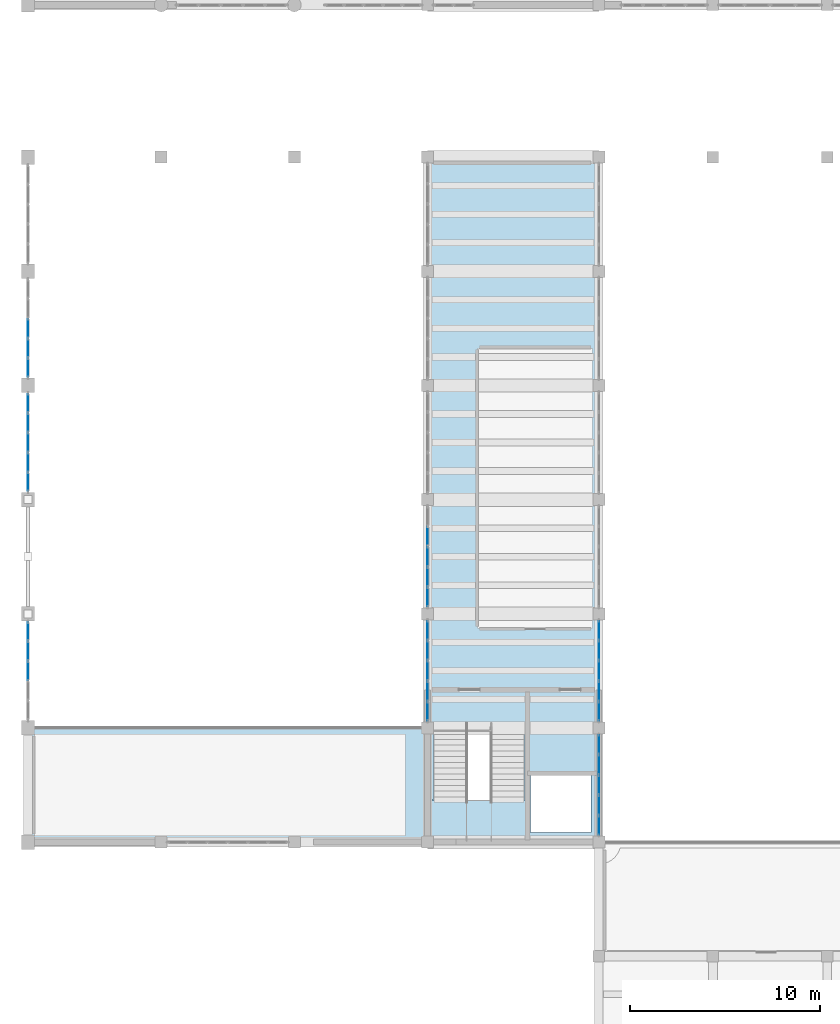
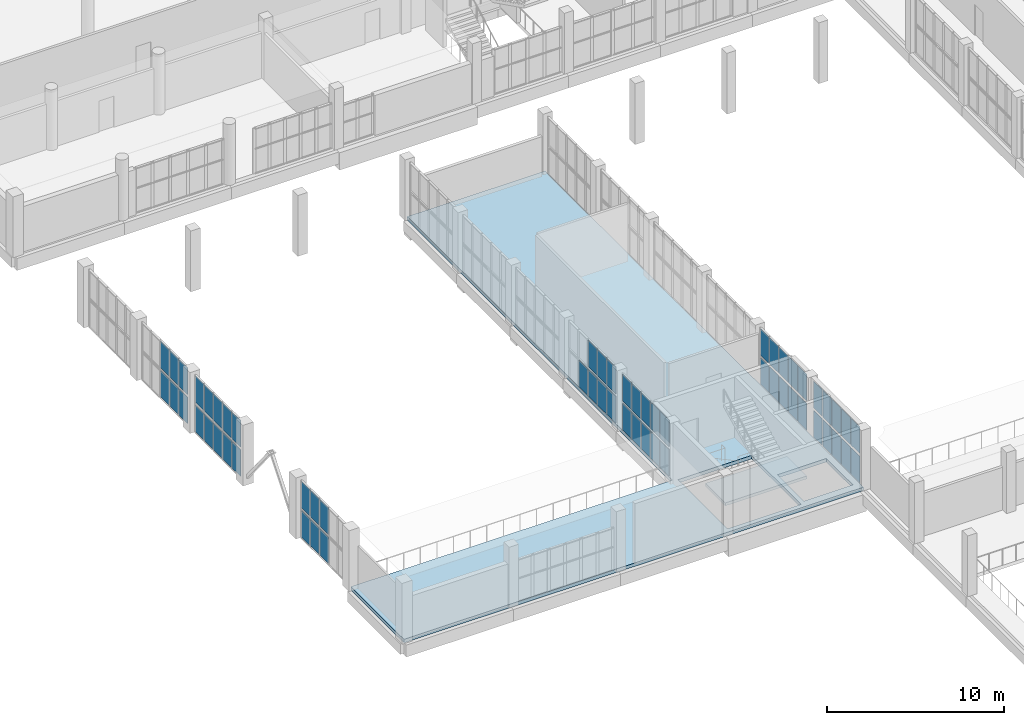
# One storey, part 46 of 85: 59 plates, 2 slabs, 15 elements without a shape of their own.
"""IFC4 building model written with IfcOpenShell, lengths in metres."""

from ifc_helpers import new_model, si_unit, direction, frame, origin, origin_2d, place, context, subcontext, project, spatial, polyline, rectangle, outline, extrude, material, layer, layer_set, type_object, element, aggregate, save


model = new_model("IFC4")

# Units and contexts
model_context = context("Model", 3, precision=1e-05, world=origin(), true_north=direction((0.0, 1.0)))
body_context = subcontext(model_context, "Body", "Model", "MODEL_VIEW")
ifc_project = project(units=[si_unit("LENGTHUNIT", "METRE"), si_unit("AREAUNIT", "SQUARE_METRE"), si_unit("VOLUMEUNIT", "CUBIC_METRE"), si_unit("PLANEANGLEUNIT", "RADIAN"), si_unit("MASSUNIT", "GRAM", prefix="KILO")], contexts=[model_context])

# Site, building, storey
site_placement = place(None, origin())
site = spatial("IfcSite", under=ifc_project, at=site_placement, CompositionType="ELEMENT")
building_placement = place(site_placement, origin())
building = spatial("IfcBuilding", under=site, at=building_placement, Name="Solvane Community Centre", CompositionType="ELEMENT")
storey_placement = place(building_placement, frame((0.0, 0.0, 5.39990234375)))
storey = spatial("IfcBuildingStorey", under=building, at=storey_placement, Name="L01", CompositionType="ELEMENT", Elevation=5.39990234375)

# Slab
ifc_material_1 = material(Name="Concrete C35/45", Category="concrete")
ifc_layer_1 = layer(ifc_material_1, 0.239990234375)
ifc_layer_set_1 = layer_set([ifc_layer_1], Name="Concrete C35/45")
slab_type_1 = type_object("IfcSlabType", Name="RC Podium Floor Slab 240mm [FP-L01-V2]", PredefinedType="FLOOR", material=ifc_layer_set_1)
slab_1_placement = place(storey_placement, frame((0.0, 0.0, -0.239990234375)))
element("IfcSlab", 1, at=slab_1_placement, inside=storey, type_object=slab_type_1, Name="Floor Slab FP-L01-V2", PredefinedType="FLOOR", context=body_context, shape_type="SweptSolid", body=[
    extrude(outline(polyline([(6.0, 42.0), (36.0, 42.0), (36.0, 78.0), (27.0, 78.0), (27.0, 48.0), (6.0, 48.0), (6.0, 42.0)]), holes=[polyline([(27.300048828125, 42.300048828125), (32.10009765625, 42.300048828125), (32.10009765625, 47.8798828125), (27.300048828125, 47.8798828125), (27.300048828125, 42.300048828125)]), polyline([(32.39990234375, 42.5), (35.60009765625, 42.5), (35.60009765625, 45.5), (32.39990234375, 45.5), (32.39990234375, 42.5)])]), origin(), (0.0, 0.0, 1.0), 0.239990234375),
])

# Stair, slab
stair_type = type_object("IfcStairType", Name="RC Two-Flight Escape Stair 1720mm", PredefinedType="TWO_STRAIGHT_RUN_STAIR", material=ifc_material_1)
stair_placement = place(storey_placement, origin())
stair = element("IfcStair", 2, at=stair_placement, inside=storey, type_object=stair_type, Name="Stair STR-C5-L01", PredefinedType="TWO_STRAIGHT_RUN_STAIR")
ifc_layer_2 = layer(ifc_material_1, 0.199951171875)
ifc_layer_set_2 = layer_set([ifc_layer_2], Name="Concrete C35/45")
slab_type_2 = type_object("IfcSlabType", Name="RC Stair Half-Landing Slab 200mm", PredefinedType="LANDING", material=ifc_layer_set_2)
slab_2_placement = place(storey_placement, frame((0.0, 0.0, 1.900146484375)))
slab_2 = element("IfcSlab", 3, at=slab_2_placement, type_object=slab_type_2, Name="ST-03 landing 1", PredefinedType="LANDING", context=body_context, shape_type="SweptSolid", body=[
    extrude(outline(polyline([(26.9599609375, 41.9599609375), (32.2900390625, 41.9599609375), (32.2900390625, 44.199951171875), (26.9599609375, 44.199951171875), (26.9599609375, 41.9599609375)])), origin(), (0.0, 0.0, 1.0), 0.199951171875),
])
aggregate(stair, [slab_2])

# Curtain wall, plates
ifc_material_2 = material(Name="Anodised bronze aluminium AW-6063 T6", Category="aluminium")
ifc_layer_3 = layer(ifc_material_2, 0.179931640625)
ifc_layer_set_3 = layer_set([ifc_layer_3], Name="Anodised bronze aluminium AW-6063 T6")
curtain_wall_type_1 = type_object("IfcCurtainWallType", Name="Hall Translucent Upper Curtain Wall [52x19dm]", PredefinedType="NOTDEFINED", material=ifc_layer_set_3)
curtain_wall_1_placement = place(storey_placement, origin())
curtain_wall_1 = element("IfcCurtainWall", 4, at=curtain_wall_1_placement, inside=storey, type_object=curtain_wall_type_1, Name="Curtain Wall CW-L01-60_484-039", PredefinedType="NOTDEFINED")
ifc_material_3 = material(Name="Translucent polycarbonate panel")
ifc_layer_4 = layer(ifc_material_3, 0.028076171875)
ifc_layer_set_4 = layer_set([ifc_layer_4], Name="Translucent polycarbonate panel")
plate_type_1 = type_object("IfcPlateType", Name="Translucent Polycarbonate Panel 28mm [52x19dm]", PredefinedType="CURTAIN_PANEL", material=ifc_layer_set_4)
plate_1_placement = place(storey_placement, frame((6.0, 51.0, 0.06005859375), z_axis=(0.0, 0.0, 1.0), x_axis=(0.0, 1.0, 0.0)))
plate_1 = element("IfcPlate", 5, at=plate_1_placement, type_object=plate_type_1, Name="CW01-52x19 panel 3.1", PredefinedType="CURTAIN_PANEL", context=body_context, shape_type="SweptSolid", body=[
    extrude(rectangle(XDim=0.98193359375, YDim=0.028076171875, at=origin_2d()), origin(), (0.0, 0.0, 1.0), 1.830078125),
])
plate_2_placement = place(storey_placement, frame((6.0, 52.0419921875, 0.06005859375), z_axis=(0.0, 0.0, 1.0), x_axis=(0.0, 1.0, 0.0)))
plate_2 = element("IfcPlate", 6, at=plate_2_placement, type_object=plate_type_1, Name="CW01-52x19 panel 4.1", PredefinedType="CURTAIN_PANEL", context=body_context, shape_type="SweptSolid", body=[
    extrude(rectangle(XDim=0.98193359375, YDim=0.028076171875, at=origin_2d()), origin(), (0.0, 0.0, 1.0), 1.830078125),
])
plate_3_placement = place(storey_placement, frame((6.0, 53.069091796875, 0.06005859375), z_axis=(0.0, 0.0, 1.0), x_axis=(0.0, 1.0, 0.0)))
plate_3 = element("IfcPlate", 7, at=plate_3_placement, type_object=plate_type_1, Name="CW01-52x19 panel 5.1", PredefinedType="CURTAIN_PANEL", context=body_context, shape_type="SweptSolid", body=[
    extrude(rectangle(XDim=0.951904296875, YDim=0.028076171875, at=origin_2d()), origin(), (0.0, 0.0, 1.0), 1.830078125),
])
aggregate(curtain_wall_1, [plate_1, plate_2, plate_3])

curtain_wall_2_placement = place(storey_placement, origin())
curtain_wall_2 = element("IfcCurtainWall", 8, at=curtain_wall_2_placement, inside=storey, type_object=curtain_wall_type_1, Name="Curtain Wall CW-L01-60_604-053", PredefinedType="NOTDEFINED")
plate_4_placement = place(storey_placement, frame((6.0, 60.930908203125, 0.06005859375), z_axis=(0.0, 0.0, 1.0), x_axis=(0.0, 1.0, 0.0)))
plate_4 = element("IfcPlate", 9, at=plate_4_placement, type_object=plate_type_1, Name="CW01-52x19 panel 1.1", PredefinedType="CURTAIN_PANEL", context=body_context, shape_type="SweptSolid", body=[
    extrude(rectangle(XDim=0.951904296875, YDim=0.028076171875, at=origin_2d()), origin(), (0.0, 0.0, 1.0), 1.830078125),
])
plate_5_placement = place(storey_placement, frame((6.0, 61.9580078125, 0.06005859375), z_axis=(0.0, 0.0, 1.0), x_axis=(0.0, 1.0, 0.0)))
plate_5 = element("IfcPlate", 10, at=plate_5_placement, type_object=plate_type_1, Name="CW01-52x19 panel 2.1", PredefinedType="CURTAIN_PANEL", context=body_context, shape_type="SweptSolid", body=[
    extrude(rectangle(XDim=0.98193359375, YDim=0.028076171875, at=origin_2d()), origin(), (0.0, 0.0, 1.0), 1.830078125),
])
plate_6_placement = place(storey_placement, frame((6.0, 63.0, 0.06005859375), z_axis=(0.0, 0.0, 1.0), x_axis=(0.0, 1.0, 0.0)))
plate_6 = element("IfcPlate", 11, at=plate_6_placement, type_object=plate_type_1, Name="CW01-52x19 panel 3.1", PredefinedType="CURTAIN_PANEL", context=body_context, shape_type="SweptSolid", body=[
    extrude(rectangle(XDim=0.98193359375, YDim=0.028076171875, at=origin_2d()), origin(), (0.0, 0.0, 1.0), 1.830078125),
])
plate_7_placement = place(storey_placement, frame((6.0, 64.0419921875, 0.06005859375), z_axis=(0.0, 0.0, 1.0), x_axis=(0.0, 1.0, 0.0)))
plate_7 = element("IfcPlate", 12, at=plate_7_placement, type_object=plate_type_1, Name="CW01-52x19 panel 4.1", PredefinedType="CURTAIN_PANEL", context=body_context, shape_type="SweptSolid", body=[
    extrude(rectangle(XDim=0.98193359375, YDim=0.028076171875, at=origin_2d()), origin(), (0.0, 0.0, 1.0), 1.830078125),
])
plate_8_placement = place(storey_placement, frame((6.0, 65.069091796875, 0.06005859375), z_axis=(0.0, 0.0, 1.0), x_axis=(0.0, 1.0, 0.0)))
plate_8 = element("IfcPlate", 13, at=plate_8_placement, type_object=plate_type_1, Name="CW01-52x19 panel 5.1", PredefinedType="CURTAIN_PANEL", context=body_context, shape_type="SweptSolid", body=[
    extrude(rectangle(XDim=0.951904296875, YDim=0.028076171875, at=origin_2d()), origin(), (0.0, 0.0, 1.0), 1.830078125),
])
aggregate(curtain_wall_2, [plate_4, plate_5, plate_6, plate_7, plate_8])

curtain_wall_3_placement = place(storey_placement, origin())
curtain_wall_3 = element("IfcCurtainWall", 14, at=curtain_wall_3_placement, inside=storey, type_object=curtain_wall_type_1, Name="Curtain Wall CW-L01-60_664-061", PredefinedType="NOTDEFINED")
plate_9_placement = place(storey_placement, frame((6.0, 66.930908203125, 0.06005859375), z_axis=(0.0, 0.0, 1.0), x_axis=(0.0, 1.0, 0.0)))
plate_9 = element("IfcPlate", 15, at=plate_9_placement, type_object=plate_type_1, Name="CW01-52x19 panel 1.1", PredefinedType="CURTAIN_PANEL", context=body_context, shape_type="SweptSolid", body=[
    extrude(rectangle(XDim=0.951904296875, YDim=0.028076171875, at=origin_2d()), origin(), (0.0, 0.0, 1.0), 1.830078125),
])
plate_10_placement = place(storey_placement, frame((6.0, 67.9580078125, 0.06005859375), z_axis=(0.0, 0.0, 1.0), x_axis=(0.0, 1.0, 0.0)))
plate_10 = element("IfcPlate", 16, at=plate_10_placement, type_object=plate_type_1, Name="CW01-52x19 panel 2.1", PredefinedType="CURTAIN_PANEL", context=body_context, shape_type="SweptSolid", body=[
    extrude(rectangle(XDim=0.98193359375, YDim=0.028076171875, at=origin_2d()), origin(), (0.0, 0.0, 1.0), 1.830078125),
])
plate_11_placement = place(storey_placement, frame((6.0, 69.0, 0.06005859375), z_axis=(0.0, 0.0, 1.0), x_axis=(0.0, 1.0, 0.0)))
plate_11 = element("IfcPlate", 17, at=plate_11_placement, type_object=plate_type_1, Name="CW01-52x19 panel 3.1", PredefinedType="CURTAIN_PANEL", context=body_context, shape_type="SweptSolid", body=[
    extrude(rectangle(XDim=0.98193359375, YDim=0.028076171875, at=origin_2d()), origin(), (0.0, 0.0, 1.0), 1.830078125),
])
aggregate(curtain_wall_3, [plate_9, plate_10, plate_11])

ifc_layer_5 = layer(ifc_material_2, 0.179931640625)
ifc_layer_set_5 = layer_set([ifc_layer_5], Name="Anodised bronze aluminium AW-6063 T6")
curtain_wall_type_2 = type_object("IfcCurtainWallType", Name="Hall Translucent Upper Curtain Wall [52x20dm]", PredefinedType="NOTDEFINED", material=ifc_layer_set_5)
curtain_wall_4_placement = place(storey_placement, origin())
curtain_wall_4 = element("IfcCurtainWall", 18, at=curtain_wall_4_placement, inside=storey, type_object=curtain_wall_type_2, Name="Curtain Wall CW-L01-60_484-040", PredefinedType="NOTDEFINED")
ifc_layer_6 = layer(ifc_material_3, 0.028076171875)
ifc_layer_set_6 = layer_set([ifc_layer_6], Name="Translucent polycarbonate panel")
plate_type_2 = type_object("IfcPlateType", Name="Translucent Polycarbonate Panel 28mm [52x20dm]", PredefinedType="CURTAIN_PANEL", material=ifc_layer_set_6)
plate_12_placement = place(storey_placement, frame((6.0, 51.0, 2.080078125), z_axis=(0.0, 0.0, 1.0), x_axis=(0.0, 1.0, 0.0)))
plate_12 = element("IfcPlate", 19, at=plate_12_placement, type_object=plate_type_2, Name="CW01-52x20 panel 3.1", PredefinedType="CURTAIN_PANEL", context=body_context, shape_type="SweptSolid", body=[
    extrude(rectangle(XDim=0.98193359375, YDim=0.028076171875, at=origin_2d()), origin(), (0.0, 0.0, 1.0), 1.840087890625),
])
plate_13_placement = place(storey_placement, frame((6.0, 52.0419921875, 2.080078125), z_axis=(0.0, 0.0, 1.0), x_axis=(0.0, 1.0, 0.0)))
plate_13 = element("IfcPlate", 20, at=plate_13_placement, type_object=plate_type_2, Name="CW01-52x20 panel 4.1", PredefinedType="CURTAIN_PANEL", context=body_context, shape_type="SweptSolid", body=[
    extrude(rectangle(XDim=0.98193359375, YDim=0.028076171875, at=origin_2d()), origin(), (0.0, 0.0, 1.0), 1.840087890625),
])
plate_14_placement = place(storey_placement, frame((6.0, 53.069091796875, 2.080078125), z_axis=(0.0, 0.0, 1.0), x_axis=(0.0, 1.0, 0.0)))
plate_14 = element("IfcPlate", 21, at=plate_14_placement, type_object=plate_type_2, Name="CW01-52x20 panel 5.1", PredefinedType="CURTAIN_PANEL", context=body_context, shape_type="SweptSolid", body=[
    extrude(rectangle(XDim=0.951904296875, YDim=0.028076171875, at=origin_2d()), origin(), (0.0, 0.0, 1.0), 1.840087890625),
])
aggregate(curtain_wall_4, [plate_12, plate_13, plate_14])

curtain_wall_5_placement = place(storey_placement, origin())
curtain_wall_5 = element("IfcCurtainWall", 22, at=curtain_wall_5_placement, inside=storey, type_object=curtain_wall_type_2, Name="Curtain Wall CW-L01-60_604-054", PredefinedType="NOTDEFINED")
plate_15_placement = place(storey_placement, frame((6.0, 60.930908203125, 2.080078125), z_axis=(0.0, 0.0, 1.0), x_axis=(0.0, 1.0, 0.0)))
plate_15 = element("IfcPlate", 23, at=plate_15_placement, type_object=plate_type_2, Name="CW01-52x20 panel 1.1", PredefinedType="CURTAIN_PANEL", context=body_context, shape_type="SweptSolid", body=[
    extrude(rectangle(XDim=0.951904296875, YDim=0.028076171875, at=origin_2d()), origin(), (0.0, 0.0, 1.0), 1.840087890625),
])
plate_16_placement = place(storey_placement, frame((6.0, 61.9580078125, 2.080078125), z_axis=(0.0, 0.0, 1.0), x_axis=(0.0, 1.0, 0.0)))
plate_16 = element("IfcPlate", 24, at=plate_16_placement, type_object=plate_type_2, Name="CW01-52x20 panel 2.1", PredefinedType="CURTAIN_PANEL", context=body_context, shape_type="SweptSolid", body=[
    extrude(rectangle(XDim=0.98193359375, YDim=0.028076171875, at=origin_2d()), origin(), (0.0, 0.0, 1.0), 1.840087890625),
])
plate_17_placement = place(storey_placement, frame((6.0, 63.0, 2.080078125), z_axis=(0.0, 0.0, 1.0), x_axis=(0.0, 1.0, 0.0)))
plate_17 = element("IfcPlate", 25, at=plate_17_placement, type_object=plate_type_2, Name="CW01-52x20 panel 3.1", PredefinedType="CURTAIN_PANEL", context=body_context, shape_type="SweptSolid", body=[
    extrude(rectangle(XDim=0.98193359375, YDim=0.028076171875, at=origin_2d()), origin(), (0.0, 0.0, 1.0), 1.840087890625),
])
plate_18_placement = place(storey_placement, frame((6.0, 64.0419921875, 2.080078125), z_axis=(0.0, 0.0, 1.0), x_axis=(0.0, 1.0, 0.0)))
plate_18 = element("IfcPlate", 26, at=plate_18_placement, type_object=plate_type_2, Name="CW01-52x20 panel 4.1", PredefinedType="CURTAIN_PANEL", context=body_context, shape_type="SweptSolid", body=[
    extrude(rectangle(XDim=0.98193359375, YDim=0.028076171875, at=origin_2d()), origin(), (0.0, 0.0, 1.0), 1.840087890625),
])
plate_19_placement = place(storey_placement, frame((6.0, 65.069091796875, 2.080078125), z_axis=(0.0, 0.0, 1.0), x_axis=(0.0, 1.0, 0.0)))
plate_19 = element("IfcPlate", 27, at=plate_19_placement, type_object=plate_type_2, Name="CW01-52x20 panel 5.1", PredefinedType="CURTAIN_PANEL", context=body_context, shape_type="SweptSolid", body=[
    extrude(rectangle(XDim=0.951904296875, YDim=0.028076171875, at=origin_2d()), origin(), (0.0, 0.0, 1.0), 1.840087890625),
])
aggregate(curtain_wall_5, [plate_15, plate_16, plate_17, plate_18, plate_19])

curtain_wall_6_placement = place(storey_placement, origin())
curtain_wall_6 = element("IfcCurtainWall", 28, at=curtain_wall_6_placement, inside=storey, type_object=curtain_wall_type_2, Name="Curtain Wall CW-L01-60_664-062", PredefinedType="NOTDEFINED")
plate_20_placement = place(storey_placement, frame((6.0, 66.930908203125, 2.080078125), z_axis=(0.0, 0.0, 1.0), x_axis=(0.0, 1.0, 0.0)))
plate_20 = element("IfcPlate", 29, at=plate_20_placement, type_object=plate_type_2, Name="CW01-52x20 panel 1.1", PredefinedType="CURTAIN_PANEL", context=body_context, shape_type="SweptSolid", body=[
    extrude(rectangle(XDim=0.951904296875, YDim=0.028076171875, at=origin_2d()), origin(), (0.0, 0.0, 1.0), 1.840087890625),
])
plate_21_placement = place(storey_placement, frame((6.0, 67.9580078125, 2.080078125), z_axis=(0.0, 0.0, 1.0), x_axis=(0.0, 1.0, 0.0)))
plate_21 = element("IfcPlate", 30, at=plate_21_placement, type_object=plate_type_2, Name="CW01-52x20 panel 2.1", PredefinedType="CURTAIN_PANEL", context=body_context, shape_type="SweptSolid", body=[
    extrude(rectangle(XDim=0.98193359375, YDim=0.028076171875, at=origin_2d()), origin(), (0.0, 0.0, 1.0), 1.840087890625),
])
plate_22_placement = place(storey_placement, frame((6.0, 69.0, 2.080078125), z_axis=(0.0, 0.0, 1.0), x_axis=(0.0, 1.0, 0.0)))
plate_22 = element("IfcPlate", 31, at=plate_22_placement, type_object=plate_type_2, Name="CW01-52x20 panel 3.1", PredefinedType="CURTAIN_PANEL", context=body_context, shape_type="SweptSolid", body=[
    extrude(rectangle(XDim=0.98193359375, YDim=0.028076171875, at=origin_2d()), origin(), (0.0, 0.0, 1.0), 1.840087890625),
])
aggregate(curtain_wall_6, [plate_20, plate_21, plate_22])

ifc_layer_7 = layer(ifc_material_2, 0.179931640625)
ifc_layer_set_7 = layer_set([ifc_layer_7], Name="Anodised bronze aluminium AW-6063 T6")
curtain_wall_type_3 = type_object("IfcCurtainWallType", Name="Hall Translucent Upper Curtain Wall [53x19dm]", PredefinedType="NOTDEFINED", material=ifc_layer_set_7)
curtain_wall_7_placement = place(storey_placement, origin())
curtain_wall_7 = element("IfcCurtainWall", 32, at=curtain_wall_7_placement, inside=storey, type_object=curtain_wall_type_3, Name="Curtain Wall CW-L01-360_423-031", PredefinedType="NOTDEFINED")
ifc_layer_8 = layer(ifc_material_3, 0.028076171875)
ifc_layer_set_8 = layer_set([ifc_layer_8], Name="Translucent polycarbonate panel")
plate_type_3 = type_object("IfcPlateType", Name="Translucent Polycarbonate Panel 28mm [53x19dm]", PredefinedType="CURTAIN_PANEL", material=ifc_layer_set_8)
plate_23_placement = place(storey_placement, frame((36.0, 42.87890625, 0.06005859375), z_axis=(0.0, 0.0, 1.0), x_axis=(0.0, 1.0, 0.0)))
plate_23 = element("IfcPlate", 33, at=plate_23_placement, type_object=plate_type_3, Name="CW01-53x19 panel 1.1", PredefinedType="CURTAIN_PANEL", context=body_context, shape_type="SweptSolid", body=[
    extrude(rectangle(XDim=0.97802734375, YDim=0.028076171875, at=origin_2d()), origin(), (0.0, 0.0, 1.0), 1.830078125),
])
plate_24_placement = place(storey_placement, frame((36.0, 43.931884765625, 0.06005859375), z_axis=(0.0, 0.0, 1.0), x_axis=(0.0, 1.0, 0.0)))
plate_24 = element("IfcPlate", 34, at=plate_24_placement, type_object=plate_type_3, Name="CW01-53x19 panel 2.1", PredefinedType="CURTAIN_PANEL", context=body_context, shape_type="SweptSolid", body=[
    extrude(rectangle(XDim=1.008056640625, YDim=0.028076171875, at=origin_2d()), origin(), (0.0, 0.0, 1.0), 1.830078125),
])
plate_25_placement = place(storey_placement, frame((36.0, 45.0, 0.06005859375), z_axis=(0.0, 0.0, 1.0), x_axis=(0.0, 1.0, 0.0)))
plate_25 = element("IfcPlate", 35, at=plate_25_placement, type_object=plate_type_3, Name="CW01-53x19 panel 3.1", PredefinedType="CURTAIN_PANEL", context=body_context, shape_type="SweptSolid", body=[
    extrude(rectangle(XDim=1.008056640625, YDim=0.028076171875, at=origin_2d()), origin(), (0.0, 0.0, 1.0), 1.830078125),
])
plate_26_placement = place(storey_placement, frame((36.0, 46.068115234375, 0.06005859375), z_axis=(0.0, 0.0, 1.0), x_axis=(0.0, 1.0, 0.0)))
plate_26 = element("IfcPlate", 36, at=plate_26_placement, type_object=plate_type_3, Name="CW01-53x19 panel 4.1", PredefinedType="CURTAIN_PANEL", context=body_context, shape_type="SweptSolid", body=[
    extrude(rectangle(XDim=1.008056640625, YDim=0.028076171875, at=origin_2d()), origin(), (0.0, 0.0, 1.0), 1.830078125),
])
plate_27_placement = place(storey_placement, frame((36.0, 47.12109375, 0.06005859375), z_axis=(0.0, 0.0, 1.0), x_axis=(0.0, 1.0, 0.0)))
plate_27 = element("IfcPlate", 37, at=plate_27_placement, type_object=plate_type_3, Name="CW01-53x19 panel 5.1", PredefinedType="CURTAIN_PANEL", context=body_context, shape_type="SweptSolid", body=[
    extrude(rectangle(XDim=0.97802734375, YDim=0.028076171875, at=origin_2d()), origin(), (0.0, 0.0, 1.0), 1.830078125),
])
aggregate(curtain_wall_7, [plate_23, plate_24, plate_25, plate_26, plate_27])

curtain_wall_8_placement = place(storey_placement, origin())
curtain_wall_8 = element("IfcCurtainWall", 38, at=curtain_wall_8_placement, inside=storey, type_object=curtain_wall_type_3, Name="Curtain Wall CW-L01-360_483-035", PredefinedType="NOTDEFINED")
plate_28_placement = place(storey_placement, frame((36.0, 48.87890625, 0.06005859375), z_axis=(0.0, 0.0, 1.0), x_axis=(0.0, 1.0, 0.0)))
plate_28 = element("IfcPlate", 39, at=plate_28_placement, type_object=plate_type_3, Name="CW01-53x19 panel 1.1", PredefinedType="CURTAIN_PANEL", context=body_context, shape_type="SweptSolid", body=[
    extrude(rectangle(XDim=0.97802734375, YDim=0.028076171875, at=origin_2d()), origin(), (0.0, 0.0, 1.0), 1.830078125),
])
plate_29_placement = place(storey_placement, frame((36.0, 49.931884765625, 0.06005859375), z_axis=(0.0, 0.0, 1.0), x_axis=(0.0, 1.0, 0.0)))
plate_29 = element("IfcPlate", 40, at=plate_29_placement, type_object=plate_type_3, Name="CW01-53x19 panel 2.1", PredefinedType="CURTAIN_PANEL", context=body_context, shape_type="SweptSolid", body=[
    extrude(rectangle(XDim=1.008056640625, YDim=0.028076171875, at=origin_2d()), origin(), (0.0, 0.0, 1.0), 1.830078125),
])
plate_30_placement = place(storey_placement, frame((36.0, 51.0, 0.06005859375), z_axis=(0.0, 0.0, 1.0), x_axis=(0.0, 1.0, 0.0)))
plate_30 = element("IfcPlate", 41, at=plate_30_placement, type_object=plate_type_3, Name="CW01-53x19 panel 3.1", PredefinedType="CURTAIN_PANEL", context=body_context, shape_type="SweptSolid", body=[
    extrude(rectangle(XDim=1.008056640625, YDim=0.028076171875, at=origin_2d()), origin(), (0.0, 0.0, 1.0), 1.830078125),
])
plate_31_placement = place(storey_placement, frame((36.0, 52.068115234375, 0.06005859375), z_axis=(0.0, 0.0, 1.0), x_axis=(0.0, 1.0, 0.0)))
plate_31 = element("IfcPlate", 42, at=plate_31_placement, type_object=plate_type_3, Name="CW01-53x19 panel 4.1", PredefinedType="CURTAIN_PANEL", context=body_context, shape_type="SweptSolid", body=[
    extrude(rectangle(XDim=1.008056640625, YDim=0.028076171875, at=origin_2d()), origin(), (0.0, 0.0, 1.0), 1.830078125),
])
plate_32_placement = place(storey_placement, frame((36.0, 53.12109375, 0.06005859375), z_axis=(0.0, 0.0, 1.0), x_axis=(0.0, 1.0, 0.0)))
plate_32 = element("IfcPlate", 43, at=plate_32_placement, type_object=plate_type_3, Name="CW01-53x19 panel 5.1", PredefinedType="CURTAIN_PANEL", context=body_context, shape_type="SweptSolid", body=[
    extrude(rectangle(XDim=0.97802734375, YDim=0.028076171875, at=origin_2d()), origin(), (0.0, 0.0, 1.0), 1.830078125),
])
aggregate(curtain_wall_8, [plate_28, plate_29, plate_30, plate_31, plate_32])

curtain_wall_9_placement = place(storey_placement, origin())
curtain_wall_9 = element("IfcCurtainWall", 44, at=curtain_wall_9_placement, inside=storey, type_object=curtain_wall_type_3, Name="Curtain Wall CW-L01-270_537-041", PredefinedType="NOTDEFINED")
plate_33_placement = place(storey_placement, frame((27.0, 53.12109375, 0.06005859375), z_axis=(0.0, 0.0, 1.0), x_axis=(0.0, -1.0, 0.0)))
plate_33 = element("IfcPlate", 45, at=plate_33_placement, type_object=plate_type_3, Name="CW01-53x19 panel 1.1", PredefinedType="CURTAIN_PANEL", context=body_context, shape_type="SweptSolid", body=[
    extrude(rectangle(XDim=0.97802734375, YDim=0.028076171875, at=origin_2d()), origin(), (0.0, 0.0, 1.0), 1.830078125),
])
plate_34_placement = place(storey_placement, frame((27.0, 52.068115234375, 0.06005859375), z_axis=(0.0, 0.0, 1.0), x_axis=(0.0, -1.0, 0.0)))
plate_34 = element("IfcPlate", 46, at=plate_34_placement, type_object=plate_type_3, Name="CW01-53x19 panel 2.1", PredefinedType="CURTAIN_PANEL", context=body_context, shape_type="SweptSolid", body=[
    extrude(rectangle(XDim=1.008056640625, YDim=0.028076171875, at=origin_2d()), origin(), (0.0, 0.0, 1.0), 1.830078125),
])
plate_35_placement = place(storey_placement, frame((27.0, 51.0, 0.06005859375), z_axis=(0.0, 0.0, 1.0), x_axis=(0.0, -1.0, 0.0)))
plate_35 = element("IfcPlate", 47, at=plate_35_placement, type_object=plate_type_3, Name="CW01-53x19 panel 3.1", PredefinedType="CURTAIN_PANEL", context=body_context, shape_type="SweptSolid", body=[
    extrude(rectangle(XDim=1.008056640625, YDim=0.028076171875, at=origin_2d()), origin(), (0.0, 0.0, 1.0), 1.830078125),
])
plate_36_placement = place(storey_placement, frame((27.0, 49.931884765625, 0.06005859375), z_axis=(0.0, 0.0, 1.0), x_axis=(0.0, -1.0, 0.0)))
plate_36 = element("IfcPlate", 48, at=plate_36_placement, type_object=plate_type_3, Name="CW01-53x19 panel 4.1", PredefinedType="CURTAIN_PANEL", context=body_context, shape_type="SweptSolid", body=[
    extrude(rectangle(XDim=1.008056640625, YDim=0.028076171875, at=origin_2d()), origin(), (0.0, 0.0, 1.0), 1.830078125),
])
plate_37_placement = place(storey_placement, frame((27.0, 48.87890625, 0.06005859375), z_axis=(0.0, 0.0, 1.0), x_axis=(0.0, -1.0, 0.0)))
plate_37 = element("IfcPlate", 49, at=plate_37_placement, type_object=plate_type_3, Name="CW01-53x19 panel 5.1", PredefinedType="CURTAIN_PANEL", context=body_context, shape_type="SweptSolid", body=[
    extrude(rectangle(XDim=0.97802734375, YDim=0.028076171875, at=origin_2d()), origin(), (0.0, 0.0, 1.0), 1.830078125),
])
aggregate(curtain_wall_9, [plate_33, plate_34, plate_35, plate_36, plate_37])

curtain_wall_10_placement = place(storey_placement, origin())
curtain_wall_10 = element("IfcCurtainWall", 50, at=curtain_wall_10_placement, inside=storey, type_object=curtain_wall_type_3, Name="Curtain Wall CW-L01-270_597-047", PredefinedType="NOTDEFINED")
plate_38_placement = place(storey_placement, frame((27.0, 58.068115234375, 0.06005859375), z_axis=(0.0, 0.0, 1.0), x_axis=(0.0, -1.0, 0.0)))
plate_38 = element("IfcPlate", 51, at=plate_38_placement, type_object=plate_type_3, Name="CW01-53x19 panel 2.1", PredefinedType="CURTAIN_PANEL", context=body_context, shape_type="SweptSolid", body=[
    extrude(rectangle(XDim=1.008056640625, YDim=0.028076171875, at=origin_2d()), origin(), (0.0, 0.0, 1.0), 1.830078125),
])
plate_39_placement = place(storey_placement, frame((27.0, 57.0, 0.06005859375), z_axis=(0.0, 0.0, 1.0), x_axis=(0.0, -1.0, 0.0)))
plate_39 = element("IfcPlate", 52, at=plate_39_placement, type_object=plate_type_3, Name="CW01-53x19 panel 3.1", PredefinedType="CURTAIN_PANEL", context=body_context, shape_type="SweptSolid", body=[
    extrude(rectangle(XDim=1.008056640625, YDim=0.028076171875, at=origin_2d()), origin(), (0.0, 0.0, 1.0), 1.830078125),
])
plate_40_placement = place(storey_placement, frame((27.0, 55.931884765625, 0.06005859375), z_axis=(0.0, 0.0, 1.0), x_axis=(0.0, -1.0, 0.0)))
plate_40 = element("IfcPlate", 53, at=plate_40_placement, type_object=plate_type_3, Name="CW01-53x19 panel 4.1", PredefinedType="CURTAIN_PANEL", context=body_context, shape_type="SweptSolid", body=[
    extrude(rectangle(XDim=1.008056640625, YDim=0.028076171875, at=origin_2d()), origin(), (0.0, 0.0, 1.0), 1.830078125),
])
plate_41_placement = place(storey_placement, frame((27.0, 54.87890625, 0.06005859375), z_axis=(0.0, 0.0, 1.0), x_axis=(0.0, -1.0, 0.0)))
plate_41 = element("IfcPlate", 54, at=plate_41_placement, type_object=plate_type_3, Name="CW01-53x19 panel 5.1", PredefinedType="CURTAIN_PANEL", context=body_context, shape_type="SweptSolid", body=[
    extrude(rectangle(XDim=0.97802734375, YDim=0.028076171875, at=origin_2d()), origin(), (0.0, 0.0, 1.0), 1.830078125),
])
aggregate(curtain_wall_10, [plate_38, plate_39, plate_40, plate_41])

ifc_layer_9 = layer(ifc_material_2, 0.179931640625)
ifc_layer_set_9 = layer_set([ifc_layer_9], Name="Anodised bronze aluminium AW-6063 T6")
curtain_wall_type_4 = type_object("IfcCurtainWallType", Name="Hall Translucent Upper Curtain Wall [53x20dm]", PredefinedType="NOTDEFINED", material=ifc_layer_set_9)
curtain_wall_11_placement = place(storey_placement, origin())
curtain_wall_11 = element("IfcCurtainWall", 55, at=curtain_wall_11_placement, inside=storey, type_object=curtain_wall_type_4, Name="Curtain Wall CW-L01-360_423-032", PredefinedType="NOTDEFINED")
ifc_layer_10 = layer(ifc_material_3, 0.028076171875)
ifc_layer_set_10 = layer_set([ifc_layer_10], Name="Translucent polycarbonate panel")
plate_type_4 = type_object("IfcPlateType", Name="Translucent Polycarbonate Panel 28mm [53x20dm]", PredefinedType="CURTAIN_PANEL", material=ifc_layer_set_10)
plate_42_placement = place(storey_placement, frame((36.0, 42.87890625, 2.080078125), z_axis=(0.0, 0.0, 1.0), x_axis=(0.0, 1.0, 0.0)))
plate_42 = element("IfcPlate", 56, at=plate_42_placement, type_object=plate_type_4, Name="CW01-53x20 panel 1.1", PredefinedType="CURTAIN_PANEL", context=body_context, shape_type="SweptSolid", body=[
    extrude(rectangle(XDim=0.97802734375, YDim=0.028076171875, at=origin_2d()), origin(), (0.0, 0.0, 1.0), 1.840087890625),
])
plate_43_placement = place(storey_placement, frame((36.0, 43.931884765625, 2.080078125), z_axis=(0.0, 0.0, 1.0), x_axis=(0.0, 1.0, 0.0)))
plate_43 = element("IfcPlate", 57, at=plate_43_placement, type_object=plate_type_4, Name="CW01-53x20 panel 2.1", PredefinedType="CURTAIN_PANEL", context=body_context, shape_type="SweptSolid", body=[
    extrude(rectangle(XDim=1.008056640625, YDim=0.028076171875, at=origin_2d()), origin(), (0.0, 0.0, 1.0), 1.840087890625),
])
plate_44_placement = place(storey_placement, frame((36.0, 45.0, 2.080078125), z_axis=(0.0, 0.0, 1.0), x_axis=(0.0, 1.0, 0.0)))
plate_44 = element("IfcPlate", 58, at=plate_44_placement, type_object=plate_type_4, Name="CW01-53x20 panel 3.1", PredefinedType="CURTAIN_PANEL", context=body_context, shape_type="SweptSolid", body=[
    extrude(rectangle(XDim=1.008056640625, YDim=0.028076171875, at=origin_2d()), origin(), (0.0, 0.0, 1.0), 1.840087890625),
])
plate_45_placement = place(storey_placement, frame((36.0, 46.068115234375, 2.080078125), z_axis=(0.0, 0.0, 1.0), x_axis=(0.0, 1.0, 0.0)))
plate_45 = element("IfcPlate", 59, at=plate_45_placement, type_object=plate_type_4, Name="CW01-53x20 panel 4.1", PredefinedType="CURTAIN_PANEL", context=body_context, shape_type="SweptSolid", body=[
    extrude(rectangle(XDim=1.008056640625, YDim=0.028076171875, at=origin_2d()), origin(), (0.0, 0.0, 1.0), 1.840087890625),
])
plate_46_placement = place(storey_placement, frame((36.0, 47.12109375, 2.080078125), z_axis=(0.0, 0.0, 1.0), x_axis=(0.0, 1.0, 0.0)))
plate_46 = element("IfcPlate", 60, at=plate_46_placement, type_object=plate_type_4, Name="CW01-53x20 panel 5.1", PredefinedType="CURTAIN_PANEL", context=body_context, shape_type="SweptSolid", body=[
    extrude(rectangle(XDim=0.97802734375, YDim=0.028076171875, at=origin_2d()), origin(), (0.0, 0.0, 1.0), 1.840087890625),
])
aggregate(curtain_wall_11, [plate_42, plate_43, plate_44, plate_45, plate_46])

curtain_wall_12_placement = place(storey_placement, origin())
curtain_wall_12 = element("IfcCurtainWall", 61, at=curtain_wall_12_placement, inside=storey, type_object=curtain_wall_type_4, Name="Curtain Wall CW-L01-360_483-036", PredefinedType="NOTDEFINED")
plate_47_placement = place(storey_placement, frame((36.0, 48.87890625, 2.080078125), z_axis=(0.0, 0.0, 1.0), x_axis=(0.0, 1.0, 0.0)))
plate_47 = element("IfcPlate", 62, at=plate_47_placement, type_object=plate_type_4, Name="CW01-53x20 panel 1.1", PredefinedType="CURTAIN_PANEL", context=body_context, shape_type="SweptSolid", body=[
    extrude(rectangle(XDim=0.97802734375, YDim=0.028076171875, at=origin_2d()), origin(), (0.0, 0.0, 1.0), 1.840087890625),
])
plate_48_placement = place(storey_placement, frame((36.0, 49.931884765625, 2.080078125), z_axis=(0.0, 0.0, 1.0), x_axis=(0.0, 1.0, 0.0)))
plate_48 = element("IfcPlate", 63, at=plate_48_placement, type_object=plate_type_4, Name="CW01-53x20 panel 2.1", PredefinedType="CURTAIN_PANEL", context=body_context, shape_type="SweptSolid", body=[
    extrude(rectangle(XDim=1.008056640625, YDim=0.028076171875, at=origin_2d()), origin(), (0.0, 0.0, 1.0), 1.840087890625),
])
plate_49_placement = place(storey_placement, frame((36.0, 51.0, 2.080078125), z_axis=(0.0, 0.0, 1.0), x_axis=(0.0, 1.0, 0.0)))
plate_49 = element("IfcPlate", 64, at=plate_49_placement, type_object=plate_type_4, Name="CW01-53x20 panel 3.1", PredefinedType="CURTAIN_PANEL", context=body_context, shape_type="SweptSolid", body=[
    extrude(rectangle(XDim=1.008056640625, YDim=0.028076171875, at=origin_2d()), origin(), (0.0, 0.0, 1.0), 1.840087890625),
])
plate_50_placement = place(storey_placement, frame((36.0, 52.068115234375, 2.080078125), z_axis=(0.0, 0.0, 1.0), x_axis=(0.0, 1.0, 0.0)))
plate_50 = element("IfcPlate", 65, at=plate_50_placement, type_object=plate_type_4, Name="CW01-53x20 panel 4.1", PredefinedType="CURTAIN_PANEL", context=body_context, shape_type="SweptSolid", body=[
    extrude(rectangle(XDim=1.008056640625, YDim=0.028076171875, at=origin_2d()), origin(), (0.0, 0.0, 1.0), 1.840087890625),
])
plate_51_placement = place(storey_placement, frame((36.0, 53.12109375, 2.080078125), z_axis=(0.0, 0.0, 1.0), x_axis=(0.0, 1.0, 0.0)))
plate_51 = element("IfcPlate", 66, at=plate_51_placement, type_object=plate_type_4, Name="CW01-53x20 panel 5.1", PredefinedType="CURTAIN_PANEL", context=body_context, shape_type="SweptSolid", body=[
    extrude(rectangle(XDim=0.97802734375, YDim=0.028076171875, at=origin_2d()), origin(), (0.0, 0.0, 1.0), 1.840087890625),
])
aggregate(curtain_wall_12, [plate_47, plate_48, plate_49, plate_50, plate_51])

curtain_wall_13_placement = place(storey_placement, origin())
curtain_wall_13 = element("IfcCurtainWall", 67, at=curtain_wall_13_placement, inside=storey, type_object=curtain_wall_type_4, Name="Curtain Wall CW-L01-270_537-042", PredefinedType="NOTDEFINED")
plate_52_placement = place(storey_placement, frame((27.0, 53.12109375, 2.080078125), z_axis=(0.0, 0.0, 1.0), x_axis=(0.0, -1.0, 0.0)))
plate_52 = element("IfcPlate", 68, at=plate_52_placement, type_object=plate_type_4, Name="CW01-53x20 panel 1.1", PredefinedType="CURTAIN_PANEL", context=body_context, shape_type="SweptSolid", body=[
    extrude(rectangle(XDim=0.97802734375, YDim=0.028076171875, at=origin_2d()), origin(), (0.0, 0.0, 1.0), 1.840087890625),
])
plate_53_placement = place(storey_placement, frame((27.0, 52.068115234375, 2.080078125), z_axis=(0.0, 0.0, 1.0), x_axis=(0.0, -1.0, 0.0)))
plate_53 = element("IfcPlate", 69, at=plate_53_placement, type_object=plate_type_4, Name="CW01-53x20 panel 2.1", PredefinedType="CURTAIN_PANEL", context=body_context, shape_type="SweptSolid", body=[
    extrude(rectangle(XDim=1.008056640625, YDim=0.028076171875, at=origin_2d()), origin(), (0.0, 0.0, 1.0), 1.840087890625),
])
plate_54_placement = place(storey_placement, frame((27.0, 51.0, 2.080078125), z_axis=(0.0, 0.0, 1.0), x_axis=(0.0, -1.0, 0.0)))
plate_54 = element("IfcPlate", 70, at=plate_54_placement, type_object=plate_type_4, Name="CW01-53x20 panel 3.1", PredefinedType="CURTAIN_PANEL", context=body_context, shape_type="SweptSolid", body=[
    extrude(rectangle(XDim=1.008056640625, YDim=0.028076171875, at=origin_2d()), origin(), (0.0, 0.0, 1.0), 1.840087890625),
])
plate_55_placement = place(storey_placement, frame((27.0, 49.931884765625, 2.080078125), z_axis=(0.0, 0.0, 1.0), x_axis=(0.0, -1.0, 0.0)))
plate_55 = element("IfcPlate", 71, at=plate_55_placement, type_object=plate_type_4, Name="CW01-53x20 panel 4.1", PredefinedType="CURTAIN_PANEL", context=body_context, shape_type="SweptSolid", body=[
    extrude(rectangle(XDim=1.008056640625, YDim=0.028076171875, at=origin_2d()), origin(), (0.0, 0.0, 1.0), 1.840087890625),
])
plate_56_placement = place(storey_placement, frame((27.0, 48.87890625, 2.080078125), z_axis=(0.0, 0.0, 1.0), x_axis=(0.0, -1.0, 0.0)))
plate_56 = element("IfcPlate", 72, at=plate_56_placement, type_object=plate_type_4, Name="CW01-53x20 panel 5.1", PredefinedType="CURTAIN_PANEL", context=body_context, shape_type="SweptSolid", body=[
    extrude(rectangle(XDim=0.97802734375, YDim=0.028076171875, at=origin_2d()), origin(), (0.0, 0.0, 1.0), 1.840087890625),
])
aggregate(curtain_wall_13, [plate_52, plate_53, plate_54, plate_55, plate_56])

curtain_wall_14_placement = place(storey_placement, origin())
curtain_wall_14 = element("IfcCurtainWall", 73, at=curtain_wall_14_placement, inside=storey, type_object=curtain_wall_type_4, Name="Curtain Wall CW-L01-270_597-048", PredefinedType="NOTDEFINED")
plate_57_placement = place(storey_placement, frame((27.0, 57.0, 2.080078125), z_axis=(0.0, 0.0, 1.0), x_axis=(0.0, -1.0, 0.0)))
plate_57 = element("IfcPlate", 74, at=plate_57_placement, type_object=plate_type_4, Name="CW01-53x20 panel 3.1", PredefinedType="CURTAIN_PANEL", context=body_context, shape_type="SweptSolid", body=[
    extrude(rectangle(XDim=1.008056640625, YDim=0.028076171875, at=origin_2d()), origin(), (0.0, 0.0, 1.0), 1.840087890625),
])
plate_58_placement = place(storey_placement, frame((27.0, 55.931884765625, 2.080078125), z_axis=(0.0, 0.0, 1.0), x_axis=(0.0, -1.0, 0.0)))
plate_58 = element("IfcPlate", 75, at=plate_58_placement, type_object=plate_type_4, Name="CW01-53x20 panel 4.1", PredefinedType="CURTAIN_PANEL", context=body_context, shape_type="SweptSolid", body=[
    extrude(rectangle(XDim=1.008056640625, YDim=0.028076171875, at=origin_2d()), origin(), (0.0, 0.0, 1.0), 1.840087890625),
])
plate_59_placement = place(storey_placement, frame((27.0, 54.87890625, 2.080078125), z_axis=(0.0, 0.0, 1.0), x_axis=(0.0, -1.0, 0.0)))
plate_59 = element("IfcPlate", 76, at=plate_59_placement, type_object=plate_type_4, Name="CW01-53x20 panel 5.1", PredefinedType="CURTAIN_PANEL", context=body_context, shape_type="SweptSolid", body=[
    extrude(rectangle(XDim=0.97802734375, YDim=0.028076171875, at=origin_2d()), origin(), (0.0, 0.0, 1.0), 1.840087890625),
])
aggregate(curtain_wall_14, [plate_57, plate_58, plate_59])

save(model, "model.ifc")
